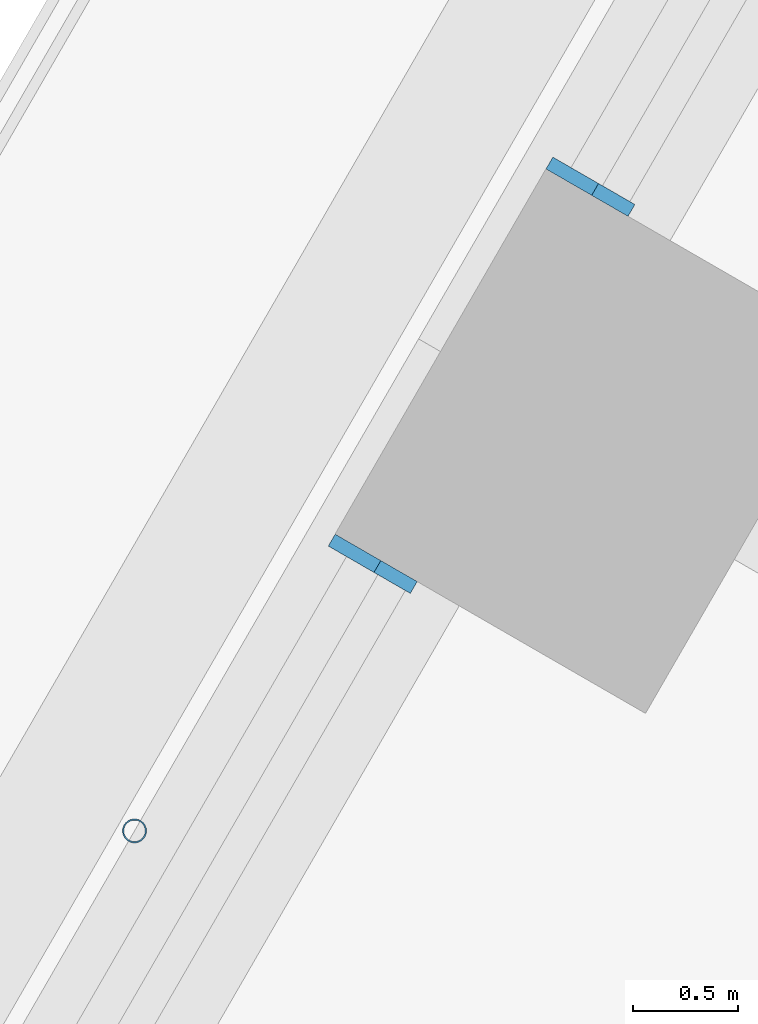
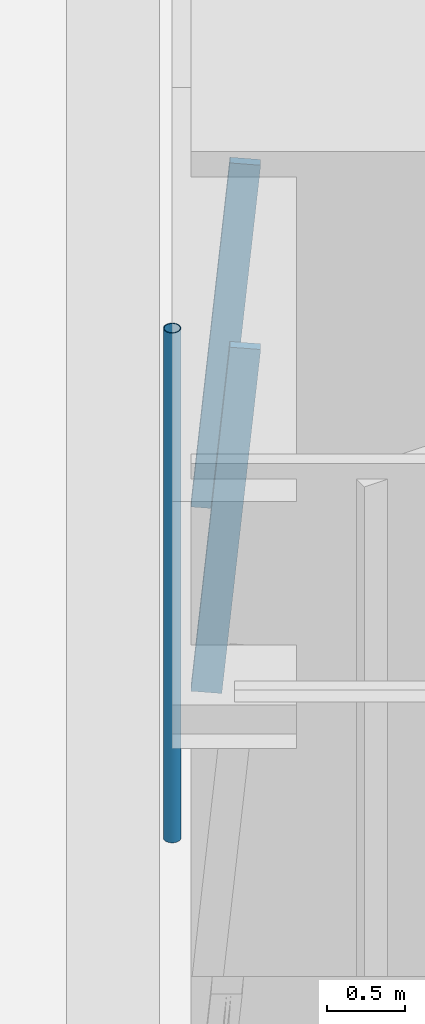
# One storey, part 7 of 24: 3 members, 2 elements without a shape of their own.
"""IFC4 building model written with IfcOpenShell, lengths in metres."""

from ifc_helpers import new_model, si_unit, direction, frame, origin, origin_2d, place, context, subcontext, project, spatial, rectangle, hollow_circle, extrude, material, material_profile, profile_set, type_object, element, aggregate, save


model = new_model("IFC4")

# Units and contexts
model_context = context("Model", 3, precision=1e-05, world=origin(), true_north=direction((0.0, 1.0)))
body_context = subcontext(model_context, "Body", "Model", "MODEL_VIEW")
ifc_project = project(units=[si_unit("LENGTHUNIT", "METRE"), si_unit("AREAUNIT", "SQUARE_METRE"), si_unit("VOLUMEUNIT", "CUBIC_METRE"), si_unit("PLANEANGLEUNIT", "RADIAN"), si_unit("MASSUNIT", "GRAM", prefix="KILO")], contexts=[model_context])

# Site, building, storey
site_placement = place(None, origin())
site = spatial("IfcSite", under=ifc_project, at=site_placement, CompositionType="ELEMENT")
building_placement = place(site_placement, origin())
building = spatial("IfcBuilding", under=site, at=building_placement, Name="Tarfa Lantern Tower", CompositionType="ELEMENT")
storey_placement = place(building_placement, frame((0.0, 0.0, 65.5)))
storey = spatial("IfcBuildingStorey", under=building, at=storey_placement, Name="L14", CompositionType="ELEMENT", Elevation=65.5)

# Curtain wall, member
ifc_material_1 = material(Name="Aluminium framed curtain wall", Category="aluminium")
curtain_wall_type = type_object("IfcCurtainWallType", Name="CW1 CANTED GLAZING LOW ZONE 2700", PredefinedType="USERDEFINED", material=ifc_material_1)
curtain_wall_1_placement = place(storey_placement, origin())
curtain_wall_1 = element("IfcCurtainWall", 1, at=curtain_wall_1_placement, inside=storey, type_object=curtain_wall_type, Name="CW1 NW L14", ObjectType="CURTAIN WALL", PredefinedType="USERDEFINED")
ifc_material_2 = material(Name="Aluminium mullion", Category="aluminium")
ifc_material_profile_1 = material_profile(ifc_material_2, rectangle(XDim=0.06494140625, YDim=0.199951171875, at=origin_2d()), Name="AL MULLION 65x200")
ifc_profile_set_1 = profile_set([ifc_material_profile_1], Name="Aluminium mullion")
member_type_1 = type_object("IfcMemberType", Name="CWM1 MULLION 65x200", PredefinedType="MULLION", material=ifc_profile_set_1)
member_1_placement = place(storey_placement, frame((-31.536376953125, 13.177490234375, 0.0), z_axis=(0.07986442134, -0.046099868913, 0.99573916077), x_axis=(0.499919672301, 0.866071776036, 0.0)))
member_1 = element("IfcMember", 2, at=member_1_placement, type_object=member_type_1, Name="CW1 mullion 2", PredefinedType="MULLION", context=body_context, shape_type="SweptSolid", body=[
    extrude(rectangle(XDim=0.06494140625, YDim=0.199951171875, at=origin_2d()), origin(), (0.0, 0.0, 1.0), 2.71142578125),
])
aggregate(curtain_wall_1, [member_1])

curtain_wall_2_placement = place(storey_placement, origin())
curtain_wall_2 = element("IfcCurtainWall", 3, at=curtain_wall_2_placement, inside=storey, type_object=curtain_wall_type, Name="CW1 NW L14", ObjectType="CURTAIN WALL", PredefinedType="USERDEFINED")
member_2_placement = place(storey_placement, frame((-32.56884765625, 11.38916015625, 0.0), z_axis=(0.07986442134, -0.046099868913, 0.99573916077), x_axis=(0.499919672301, 0.866071776036, 0.0)))
member_2 = element("IfcMember", 4, at=member_2_placement, type_object=member_type_1, Name="CW1 mullion 1", PredefinedType="MULLION", context=body_context, shape_type="SweptSolid", body=[
    extrude(rectangle(XDim=0.06494140625, YDim=0.199951171875, at=origin_2d()), origin(), (0.0, 0.0, 1.0), 2.71142578125),
])
aggregate(curtain_wall_2, [member_2])

# Member
ifc_material_3 = material(Name="Steel S355", Category="steel")
ifc_material_profile_2 = material_profile(ifc_material_3, hollow_circle(Radius=0.05712890625, WallThickness=0.00634765625, at=origin_2d()), Name="CHS114.3x6.3")
ifc_profile_set_2 = profile_set([ifc_material_profile_2], Name="Steel S355")
member_type_2 = type_object("IfcMemberType", Name="TR1 GREEN WALL TRELLIS CHS114.3x6.3", PredefinedType="USERDEFINED", material=ifc_profile_set_2)
member_3_placement = place(storey_placement, frame((-33.59033203125, 10.06005859375, 0.0), z_axis=(0.0, 0.0, 1.0), x_axis=(1.0, 0.0, 0.0)))
element("IfcMember", 5, at=member_3_placement, inside=storey, type_object=member_type_2, Name="Trellis post NW 2", ObjectType="TRELLIS", PredefinedType="USERDEFINED", context=body_context, shape_type="SweptSolid", body=[
    extrude(hollow_circle(Radius=0.05712890625, WallThickness=0.00634765625, at=origin_2d()), origin(), (0.0, 0.0, 1.0), 4.0),
])

save(model, "model.ifc")
